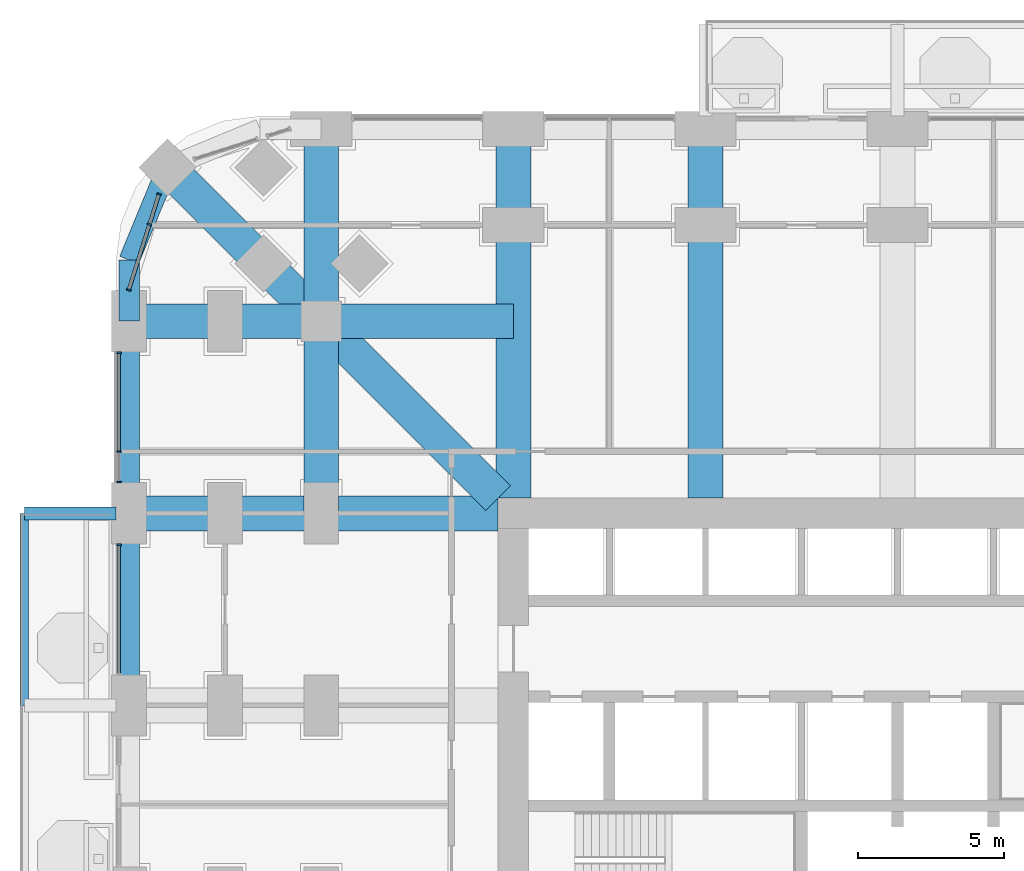
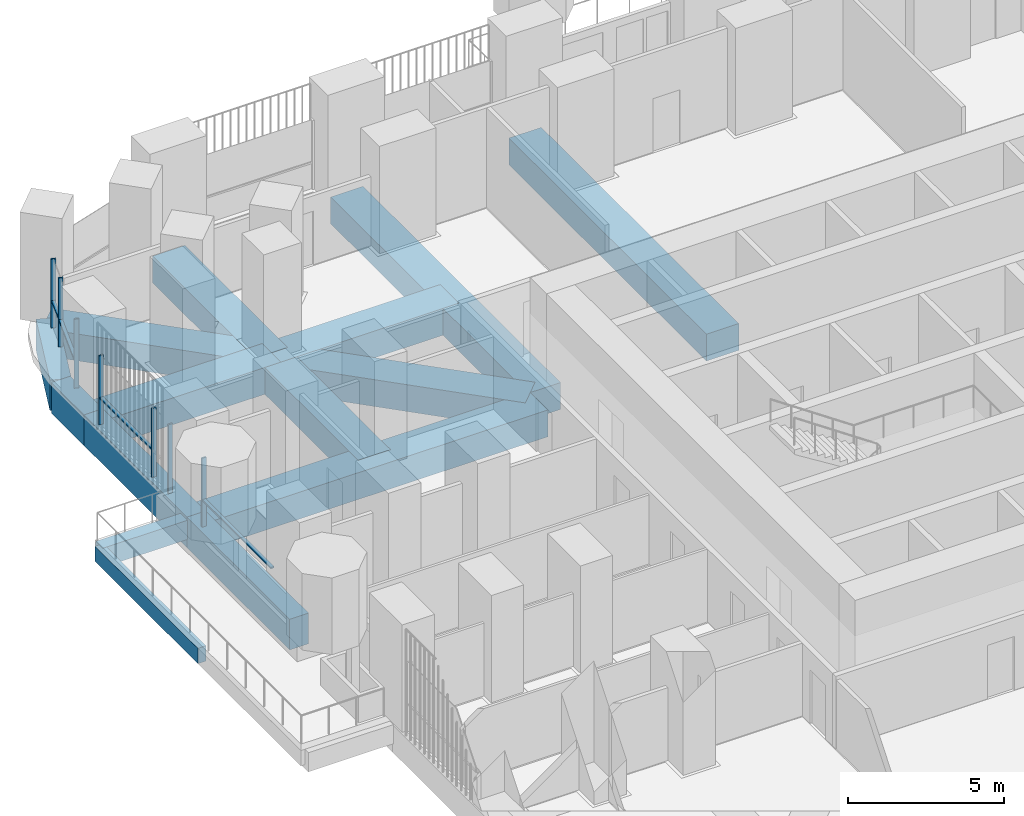
# One storey, part 6 of 26: 15 beams, 11 members, 3 elements without a shape of their own.
"""IFC4 building model written with IfcOpenShell, lengths in metres."""

import ifcopenshell
import ifcopenshell.guid

model = None  # the IFC model being written
_history = None  # IfcOwnerHistory: only IFC2X3 demands one
_inside = {}  # id of a spatial element -> (the spatial element, [elements in it])
_under = {}  # id of a project, library or spatial element -> (it, [spatial elements below it])
_declared = {}  # id of a project -> (the project, [libraries it declares])
_typed = {}  # id of a type object -> (the type object, [elements of that type])
_made_of = {}  # id of a material, layer set ... -> (it, [elements and type objects made of it])


def new_model(schema):
    """Start an empty IFC model of exactly this schema.

    Asked for "IFC4X3", IfcOpenShell would pick the latest addendum, in which some entities
    have other attributes; the version numbers below select the first issue.
    IFC2X3 requires an IfcOwnerHistory on every rooted entity: one is made here for all.
    """
    global model, _history
    if schema == "IFC4X3":
        model = ifcopenshell.file(schema_version=(4, 3, 0, 0))
    else:
        model = ifcopenshell.file(schema=schema)
    _inside.clear()
    _under.clear()
    _declared.clear()
    _typed.clear()
    _made_of.clear()
    _history = None
    if model.schema == "IFC2X3":
        org = make("IfcOrganization", Name="unknown")
        user = make(
            "IfcPersonAndOrganization",
            ThePerson=make("IfcPerson", FamilyName="unknown"),
            TheOrganization=org,
        )
        app = make(
            "IfcApplication",
            ApplicationDeveloper=org,
            Version="unknown",
            ApplicationFullName="unknown",
            ApplicationIdentifier="unknown",
        )
        _history = make(
            "IfcOwnerHistory",
            OwningUser=user,
            OwningApplication=app,
            ChangeAction="ADDED",
            CreationDate=0,
        )
    return model


def make(cls, **values):
    """One entity of the class cls with the attributes given. An attribute that is None is left unset."""
    return model.create_entity(
        cls, **{name: value for name, value in values.items() if value is not None}
    )


def rooted(cls, **values):
    """An entity with a GlobalId (a new one), such as an element, a storey or a relation."""
    return make(cls, GlobalId=ifcopenshell.guid.new(), OwnerHistory=_history, **values)


def si_unit(unit_type, name, prefix=None):
    """IfcSIUnit, for example si_unit("LENGTHUNIT", "METRE", prefix="MILLI")."""
    return make("IfcSIUnit", UnitType=unit_type, Prefix=prefix, Name=name)


def assignment(units):
    """IfcUnitAssignment: the units of a project."""
    return None if units is None else make("IfcUnitAssignment", Units=units)


def point(xyz):
    """IfcCartesianPoint."""
    return None if xyz is None else make("IfcCartesianPoint", Coordinates=xyz)


def direction(xyz):
    """IfcDirection."""
    return None if xyz is None else make("IfcDirection", DirectionRatios=xyz)


def frame(location, z_axis=None, x_axis=None):
    """IfcAxis2Placement3D, a coordinate frame: its origin and axes. An axis left out is left unset."""
    return make(
        "IfcAxis2Placement3D",
        Location=point(location),
        Axis=direction(z_axis),
        RefDirection=direction(x_axis),
    )


def frame_2d(location, x_axis=None):
    """IfcAxis2Placement2D, a coordinate frame in the plane: its origin and x axis."""
    return make(
        "IfcAxis2Placement2D", Location=point(location), RefDirection=direction(x_axis)
    )


def origin():
    """The frame at (0, 0, 0) with its axes left unset."""
    return frame((0.0, 0.0, 0.0))


def origin_2d():
    """The frame at (0, 0) in the plane with its x axis left unset."""
    return frame_2d((0.0, 0.0))


def place(relative_to, where):
    """IfcLocalPlacement: puts the frame where relative to a parent placement (None: the world)."""
    return make(
        "IfcLocalPlacement", PlacementRelTo=relative_to, RelativePlacement=where
    )


def context(
    kind, dimensions, precision=None, world=None, true_north=None, identifier=None
):
    """IfcGeometricRepresentationContext, for example the 3D "Model" context."""
    return make(
        "IfcGeometricRepresentationContext",
        ContextIdentifier=identifier,
        ContextType=kind,
        CoordinateSpaceDimension=dimensions,
        Precision=precision,
        WorldCoordinateSystem=world,
        TrueNorth=true_north,
    )


def subcontext(parent, identifier, kind, view, scale=None):
    """IfcGeometricRepresentationSubContext, for example "Body" below "Model"."""
    return make(
        "IfcGeometricRepresentationSubContext",
        ContextIdentifier=identifier,
        ContextType=kind,
        ParentContext=parent,
        TargetScale=scale,
        TargetView=view,
    )


def project(units=None, contexts=None):
    """IfcProject with its units and contexts."""
    return rooted(
        "IfcProject",
        Name="project",
        RepresentationContexts=contexts,
        UnitsInContext=assignment(units),
    )


def spatial(cls, under=None, at=None, **own):
    """A site, building, storey or space (cls), placed at a placement, below another one or the project."""
    s = rooted(cls, ObjectPlacement=at, **own)
    if under is not None:
        _under.setdefault(under.id(), (under, []))[1].append(s)
    return s


def profile(cls, at=None, kind="AREA", **sizes):
    """A parametric profile (cls). Its sizes go by their IFC names, for example OverallWidth=200.0."""
    return make(cls, ProfileType=kind, Position=at, **sizes)


def rectangle(**sizes):
    """IfcRectangleProfileDef."""
    return profile("IfcRectangleProfileDef", **sizes)


def extrude(swept, where, along, depth):
    """IfcExtrudedAreaSolid: the profile swept, set in the frame where, extruded along a direction by depth."""
    return make(
        "IfcExtrudedAreaSolid",
        SweptArea=swept,
        Position=where,
        ExtrudedDirection=direction(along),
        Depth=depth,
    )


def shape(context_of_items, identifier, shape_type, items):
    """IfcShapeRepresentation: the items that make up one representation, for example the "Body"."""
    return make(
        "IfcShapeRepresentation",
        ContextOfItems=context_of_items,
        RepresentationIdentifier=identifier,
        RepresentationType=shape_type,
        Items=items,
    )


def material(Name=None, Category=None):
    """IfcMaterial."""
    return make("IfcMaterial", Name=Name, Category=Category)


def material_profile(
    of_material, cross_section, Name=None, Category=None, Priority=None
):
    """IfcMaterialProfile: a cross section and its material."""
    return make(
        "IfcMaterialProfile",
        Name=Name,
        Material=of_material,
        Profile=cross_section,
        Priority=Priority,
        Category=Category,
    )


def profile_set(profiles, Name=None, composite=None):
    """IfcMaterialProfileSet."""
    return make(
        "IfcMaterialProfileSet",
        Name=Name,
        MaterialProfiles=profiles,
        CompositeProfile=composite,
    )


def made_of(thing, what):
    """Note that an element or type object is made of a material, layer set ...; save() writes the relation."""
    if what is not None:
        _made_of.setdefault(what.id(), (what, []))[1].append(thing)
    return thing


def type_object(cls, material=None, **own):
    """A type object (cls), such as IfcWallType, which elements share."""
    return made_of(rooted(cls, **own), material)


def element(
    cls,
    number,
    at=None,
    inside=None,
    cuts=None,
    type_object=None,
    material=None,
    context=None,
    identifier="Body",
    shape_type=None,
    held_by="IfcProductDefinitionShape",
    body=None,
    shapes=None,
    **own,
):
    """One element of the class cls, such as IfcWall. Its Tag is "e" and its number.

    at: its placement. inside: the storey or other place that contains it. cuts: it is an
    opening in that element (IfcRelVoidsElement). A single representation is given by context,
    identifier, shape_type and body (its items); several are given by shapes. held_by: the class
    of the entity that holds the representations. save() writes the other relations.
    """
    e = rooted(cls, Tag="e%d" % number, ObjectPlacement=at, **own)
    if body is not None:
        shapes = [shape(context, identifier, shape_type, body)]
    if shapes is not None:
        e.Representation = make(held_by, Representations=shapes)
    if inside is not None:
        _inside.setdefault(inside.id(), (inside, []))[1].append(e)
    if cuts is not None:
        rooted(
            "IfcRelVoidsElement", RelatingBuildingElement=cuts, RelatedOpeningElement=e
        )
    if type_object is not None:
        _typed.setdefault(type_object.id(), (type_object, []))[1].append(e)
    return made_of(e, material)


def aggregate(whole, parts):
    """IfcRelAggregates: a whole, such as a stair, and the parts it consists of."""
    return rooted("IfcRelAggregates", RelatingObject=whole, RelatedObjects=parts)


def save(model, path):
    """Write the relations noted so far, then the file.

    IfcRelAggregates (storeys below a building ...), IfcRelContainedInSpatialStructure (elements
    in a storey), IfcRelDefinesByType, IfcRelAssociatesMaterial and IfcRelDeclares: one each for
    every whole, place, type object, material and project.
    """
    for whole, parts in _under.values():
        aggregate(whole, parts)
    for where, things in _inside.values():
        rooted(
            "IfcRelContainedInSpatialStructure",
            RelatedElements=things,
            RelatingStructure=where,
        )
    for kind, things in _typed.values():
        rooted("IfcRelDefinesByType", RelatedObjects=things, RelatingType=kind)
    for what, things in _made_of.values():
        rooted("IfcRelAssociatesMaterial", RelatedObjects=things, RelatingMaterial=what)
    for by, libraries in _declared.values():
        rooted("IfcRelDeclares", RelatingContext=by, RelatedDefinitions=libraries)
    model.write(path)


model = new_model("IFC4")

# Units and contexts
model_context = context("Model", 3, precision=1e-05, world=origin(), true_north=direction((0.0, 1.0)))
body_context = subcontext(model_context, "Body", "Model", "MODEL_VIEW")
ifc_project = project(units=[si_unit("LENGTHUNIT", "METRE"), si_unit("AREAUNIT", "SQUARE_METRE"), si_unit("VOLUMEUNIT", "CUBIC_METRE"), si_unit("PLANEANGLEUNIT", "RADIAN"), si_unit("MASSUNIT", "GRAM", prefix="KILO")], contexts=[model_context])

# Site, building, storey
site_placement = place(None, origin())
site = spatial("IfcSite", under=ifc_project, at=site_placement, CompositionType="ELEMENT")
building_placement = place(site_placement, origin())
building = spatial("IfcBuilding", under=site, at=building_placement, Name="Cobogo Forest Laboratory Tower", CompositionType="ELEMENT")
storey_placement = place(building_placement, frame((0.0, 0.0, 50.699951171875)))
storey = spatial("IfcBuildingStorey", under=building, at=storey_placement, Name="L11", CompositionType="ELEMENT", Elevation=50.699951171875)

# Beams
ifc_material_1 = material(Name="Concrete HA-40 (C40/50)", Category="concrete")
ifc_material_profile_1 = material_profile(ifc_material_1, rectangle(XDim=0.449951171875, YDim=0.75, at=origin_2d()), Name="RC 450x750")
ifc_profile_set_1 = profile_set([ifc_material_profile_1], Name="Concrete HA-40 (C40/50)")
beam_type_1 = type_object("IfcBeamType", Name="Balcony cantilever beam 450x750", PredefinedType="BEAM", material=ifc_profile_set_1)
beam_1_placement = place(storey_placement, frame((-0.449951171875, 33.0, -0.625), z_axis=(-1.0, 0.0, 0.0), x_axis=(0.0, -1.0, 0.0)))
element("IfcBeam", 1, at=beam_1_placement, inside=storey, type_object=beam_type_1, Name="CB1 BAL-W1-C3 L11", PredefinedType="BEAM", context=body_context, shape_type="SweptSolid", body=[
    extrude(rectangle(XDim=0.449951171875, YDim=0.75, at=origin_2d()), origin(), (0.0, 0.0, 1.0), 3.150146484375),
])
ifc_material_profile_2 = material_profile(ifc_material_1, rectangle(XDim=0.300048828125, YDim=0.60009765625, at=origin_2d()), Name="RC 300x600")
ifc_profile_set_2 = profile_set([ifc_material_profile_2], Name="Concrete HA-40 (C40/50)")
beam_type_2 = type_object("IfcBeamType", Name="Balcony edge beam 300x600", PredefinedType="BEAM", material=ifc_profile_set_2)
beam_2_placement = place(storey_placement, frame((-3.60009765625, 26.39990234375, -0.550048828125), z_axis=(0.0, 1.0, 0.0), x_axis=(-1.0, 0.0, 0.0)))
element("IfcBeam", 2, at=beam_2_placement, inside=storey, type_object=beam_type_2, Name="BB1 BAL-W1-T2 L11", PredefinedType="BEAM", context=body_context, shape_type="SweptSolid", body=[
    extrude(rectangle(XDim=0.300048828125, YDim=0.60009765625, at=origin_2d()), origin(), (0.0, 0.0, 1.0), 6.60009765625),
])
ifc_material_profile_3 = material_profile(ifc_material_1, rectangle(XDim=1.199951171875, YDim=1.050048828125, at=origin_2d()), Name="RC 1200x1050")
ifc_profile_set_3 = profile_set([ifc_material_profile_3], Name="Concrete HA-40 (C40/50)")
beam_type_3 = type_object("IfcBeamType", Name="Laboratory floor wide beam 1200x1050", PredefinedType="BEAM", material=ifc_profile_set_3)
for number, where, z_axis, x_axis, name in (
    (3, (13.199951171875, 33.52490234375, -0.824951171875), (0.0, 1.0, 0.0), (-1.0, 0.0, 0.0), "RB1 R-3-N L11"),
    (4, (19.800048828125, 33.52490234375, -0.824951171875), (0.0, 1.0, 0.0), (-1.0, 0.0, 0.0), "RB1 R-4-N L11"),
    (5, (12.675048828125, 33.0, -0.824951171875), (-1.0, 0.0, 0.0), (0.0, -1.0, 0.0), "RB1 R-F-W L11"),
):
    element("IfcBeam", number, at=place(storey_placement, frame(where, z_axis=z_axis, x_axis=x_axis)), inside=storey, type_object=beam_type_3, Name=name, PredefinedType="BEAM", context=body_context, shape_type="SweptSolid", body=[
        extrude(rectangle(XDim=1.199951171875, YDim=1.050048828125, at=origin_2d()), origin(), (0.0, 0.0, 1.0), 12.675048828125),
    ])
beam_3_placement = place(storey_placement, frame((6.60009765625, 46.199951171875, -0.824951171875), z_axis=(0.0, -1.0, 0.0), x_axis=(1.0, 0.0, 0.0)))
element("IfcBeam", 6, at=beam_3_placement, inside=storey, type_object=beam_type_3, Name="RB1 G-NW-XF L11", PredefinedType="BEAM", context=body_context, shape_type="SweptSolid", body=[
    extrude(rectangle(XDim=1.199951171875, YDim=1.050048828125, at=origin_2d()), origin(), (0.0, 0.0, 1.0), 6.599853515625),
])
for number, where, z_axis, x_axis, name in (
    (7, (6.60009765625, 39.60009765625, -0.824951171875), (0.0, -1.0, 0.0), (1.0, 0.0, 0.0), "RB1 G-NW-XC L11"),
    (8, (0.0, 39.60009765625, -0.824951171875), (1.0, 0.0, 0.0), (0.0, 1.0, 0.0), "RB1 G-NW-YF L11"),
):
    element("IfcBeam", number, at=place(storey_placement, frame(where, z_axis=z_axis, x_axis=x_axis)), inside=storey, type_object=beam_type_3, Name=name, PredefinedType="BEAM", context=body_context, shape_type="SweptSolid", body=[
        extrude(rectangle(XDim=1.199951171875, YDim=1.050048828125, at=origin_2d()), origin(), (0.0, 0.0, 1.0), 6.60009765625),
    ])
beam_4_placement = place(storey_placement, frame((6.60009765625, 39.60009765625, -0.824951171875), z_axis=(1.0, 0.0, 0.0), x_axis=(0.0, 1.0, 0.0)))
element("IfcBeam", 9, at=beam_4_placement, inside=storey, type_object=beam_type_3, Name="RB1 G-NW-YC L11", PredefinedType="BEAM", context=body_context, shape_type="SweptSolid", body=[
    extrude(rectangle(XDim=1.199951171875, YDim=1.050048828125, at=origin_2d()), origin(), (0.0, 0.0, 1.0), 6.599853515625),
])
beam_5_placement = place(storey_placement, frame((1.318115234375, 44.882080078125, -0.824951171875), z_axis=(0.707106781187, -0.707106781187, 0.0), x_axis=(0.707106781187, 0.707106781187, 0.0)))
element("IfcBeam", 10, at=beam_5_placement, inside=storey, type_object=beam_type_3, Name="RB1 G-NW-D1 L11", PredefinedType="BEAM", context=body_context, shape_type="SweptSolid", body=[
    extrude(rectangle(XDim=1.199951171875, YDim=1.050048828125, at=origin_2d()), origin(), (0.0, 0.0, 1.0), 7.469970703125),
])
beam_6_placement = place(storey_placement, frame((6.60009765625, 39.60009765625, -0.824951171875), z_axis=(0.707092572697, -0.70712098939, 0.0), x_axis=(0.70712098939, 0.707092572697, 0.0)))
element("IfcBeam", 11, at=beam_6_placement, inside=storey, type_object=beam_type_3, Name="RB1 G-NW-D2 L11", PredefinedType="BEAM", context=body_context, shape_type="SweptSolid", body=[
    extrude(rectangle(XDim=1.199951171875, YDim=1.050048828125, at=origin_2d()), origin(), (0.0, 0.0, 1.0), 8.591552734375),
])

# Curtain wall, members
ifc_material_2 = material(Name="Aluminium curtain wall", Category="aluminium")
curtain_wall_type = type_object("IfcCurtainWallType", Name="CW-1 unitised curtain wall, clear glazing, laboratory floors zones A and B", PredefinedType="USERDEFINED", material=ifc_material_2)
curtain_wall_1_placement = place(storey_placement, origin())
curtain_wall_1 = element("IfcCurtainWall", 12, at=curtain_wall_1_placement, inside=storey, type_object=curtain_wall_type, Name="Curtain wall 26 L11", ObjectType="UNITISED CURTAIN WALL", PredefinedType="USERDEFINED")
ifc_material_3 = material(Name="Aluminium mullion", Category="aluminium")
ifc_material_profile_4 = material_profile(ifc_material_3, rectangle(XDim=0.06005859375, YDim=0.159912109375, at=origin_2d()), Name="AL 60x160")
ifc_profile_set_4 = profile_set([ifc_material_profile_4], Name="Aluminium mullion")
member_type_1 = type_object("IfcMemberType", Name="MU-1 aluminium mullion 60x160", PredefinedType="MULLION", material=ifc_profile_set_4)
member_1_placement = place(storey_placement, frame((1.02734375, 43.961181640625, 0.0), z_axis=(0.0, 0.0, 1.0), x_axis=(-0.30113535792, -0.95358140513, 0.0)))
member_1 = element("IfcMember", 13, at=member_1_placement, type_object=member_type_1, Name="CW-1 mullion 1", PredefinedType="MULLION", context=body_context, shape_type="SweptSolid", body=[
    extrude(rectangle(XDim=0.06005859375, YDim=0.159912109375, at=origin_2d()), origin(), (0.0, 0.0, 1.0), 2.699951171875),
])
member_2_placement = place(storey_placement, frame((0.69970703125, 42.924072265625, 0.0), z_axis=(0.0, 0.0, 1.0), x_axis=(-0.30113535792, -0.95358140513, 0.0)))
member_2 = element("IfcMember", 14, at=member_2_placement, type_object=member_type_1, Name="CW-1 mullion 2", PredefinedType="MULLION", context=body_context, shape_type="SweptSolid", body=[
    extrude(rectangle(XDim=0.06005859375, YDim=0.159912109375, at=origin_2d()), origin(), (0.0, 0.0, 1.0), 2.699951171875),
])
member_3_placement = place(storey_placement, frame((-0.00927734375, 40.6787109375, 0.0), z_axis=(0.0, 0.0, 1.0), x_axis=(-0.30113535792, -0.95358140513, 0.0)))
member_3 = element("IfcMember", 15, at=member_3_placement, type_object=member_type_1, Name="CW-1 mullion 3", PredefinedType="MULLION", context=body_context, shape_type="SweptSolid", body=[
    extrude(rectangle(XDim=0.06005859375, YDim=0.159912109375, at=origin_2d()), origin(), (0.0, 0.0, 1.0), 2.699951171875),
])

curtain_wall_2_placement = place(storey_placement, origin())
curtain_wall_2 = element("IfcCurtainWall", 16, at=curtain_wall_2_placement, inside=storey, type_object=curtain_wall_type, Name="Curtain wall 27 L11", ObjectType="UNITISED CURTAIN WALL", PredefinedType="USERDEFINED")
member_4_placement = place(storey_placement, frame((-0.35009765625, 38.52001953125, 0.0), z_axis=(0.0, 0.0, 1.0), x_axis=(0.0, -1.0, 0.0)))
member_4 = element("IfcMember", 17, at=member_4_placement, type_object=member_type_1, Name="CW-1 mullion 1", PredefinedType="MULLION", context=body_context, shape_type="SweptSolid", body=[
    extrude(rectangle(XDim=0.06005859375, YDim=0.159912109375, at=origin_2d()), origin(), (0.0, 0.0, 1.0), 2.699951171875),
])
member_5_placement = place(storey_placement, frame((-0.35009765625, 35.125, 0.0), z_axis=(0.0, 0.0, 1.0), x_axis=(0.0, -1.0, 0.0)))
member_5 = element("IfcMember", 18, at=member_5_placement, type_object=member_type_1, Name="CW-1 mullion 2", PredefinedType="MULLION", context=body_context, shape_type="SweptSolid", body=[
    extrude(rectangle(XDim=0.06005859375, YDim=0.159912109375, at=origin_2d()), origin(), (0.0, 0.0, 1.0), 2.699951171875),
])
member_6_placement = place(storey_placement, frame((-0.35009765625, 34.080078125, 0.0), z_axis=(0.0, 0.0, 1.0), x_axis=(0.0, -1.0, 0.0)))
member_6 = element("IfcMember", 19, at=member_6_placement, type_object=member_type_1, Name="CW-1 mullion 3", PredefinedType="MULLION", context=body_context, shape_type="SweptSolid", body=[
    extrude(rectangle(XDim=0.06005859375, YDim=0.159912109375, at=origin_2d()), origin(), (0.0, 0.0, 1.0), 2.699951171875),
])

# Curtain wall, member
curtain_wall_3_placement = place(storey_placement, origin())
curtain_wall_3 = element("IfcCurtainWall", 20, at=curtain_wall_3_placement, inside=storey, type_object=curtain_wall_type, Name="Curtain wall 28 L11", ObjectType="UNITISED CURTAIN WALL", PredefinedType="USERDEFINED")
member_7_placement = place(storey_placement, frame((-0.35009765625, 31.919921875, 0.0), z_axis=(0.0, 0.0, 1.0), x_axis=(0.0, -1.0, 0.0)))
member_7 = element("IfcMember", 21, at=member_7_placement, type_object=member_type_1, Name="CW-1 mullion 1", PredefinedType="MULLION", context=body_context, shape_type="SweptSolid", body=[
    extrude(rectangle(XDim=0.06005859375, YDim=0.159912109375, at=origin_2d()), origin(), (0.0, 0.0, 1.0), 2.699951171875),
])

# Beams
ifc_material_profile_5 = material_profile(ifc_material_1, rectangle(XDim=0.699951171875, YDim=1.199951171875, at=origin_2d()), Name="RC 700x1200")
ifc_profile_set_5 = profile_set([ifc_material_profile_5], Name="Concrete HA-40 (C40/50)")
beam_type_4 = type_object("IfcBeamType", Name="Perimeter edge beam 700x1200", PredefinedType="BEAM", material=ifc_profile_set_5)
for number, where, z_axis, x_axis, name in (
    (22, (0.0, 26.39990234375, -0.89990234375), (0.0, 1.0, 0.0), (-1.0, 0.0, 0.0), "EB1 E-W4 L11"),
    (23, (0.0, 33.0, -0.89990234375), (0.0, 1.0, 0.0), (-1.0, 0.0, 0.0), "EB1 E-W5 L11"),
):
    element("IfcBeam", number, at=place(storey_placement, frame(where, z_axis=z_axis, x_axis=x_axis)), inside=storey, type_object=beam_type_4, Name=name, PredefinedType="BEAM", context=body_context, shape_type="SweptSolid", body=[
        extrude(rectangle(XDim=0.699951171875, YDim=1.199951171875, at=origin_2d()), origin(), (0.0, 0.0, 1.0), 6.60009765625),
    ])
beam_7_placement = place(storey_placement, frame((0.0, 39.60009765625, -0.89990234375), z_axis=(0.0, 1.0, 0.0), x_axis=(-1.0, 0.0, 0.0)))
element("IfcBeam", 24, at=beam_7_placement, inside=storey, type_object=beam_type_4, Name="EB1 E-NWW1 L11", PredefinedType="BEAM", context=body_context, shape_type="SweptSolid", body=[
    extrude(rectangle(XDim=0.699951171875, YDim=1.199951171875, at=origin_2d()), origin(), (0.0, 0.0, 1.0), 2.099853515625),
])
beam_8_placement = place(storey_placement, frame((0.0, 41.699951171875, -0.89990234375), z_axis=(0.382691928466, 0.923876013265, 0.0), x_axis=(-0.923876013265, 0.382691928466, 0.0)))
element("IfcBeam", 25, at=beam_8_placement, inside=storey, type_object=beam_type_4, Name="EB1 E-NWW2 L11", PredefinedType="BEAM", context=body_context, shape_type="SweptSolid", body=[
    extrude(rectangle(XDim=0.699951171875, YDim=1.199951171875, at=origin_2d()), origin(), (0.0, 0.0, 1.0), 3.4443359375),
])

# Member
ifc_material_4 = material(Name="Aluminium transom", Category="aluminium")
ifc_material_profile_6 = material_profile(ifc_material_4, rectangle(XDim=0.1201171875, YDim=0.06005859375, at=origin_2d()), Name="AL 60x120")
ifc_profile_set_6 = profile_set([ifc_material_profile_6], Name="Aluminium transom")
member_type_2 = type_object("IfcMemberType", Name="TR-1 aluminium transom 60x120", PredefinedType="USERDEFINED", material=ifc_profile_set_6)
member_8_placement = place(storey_placement, frame((1.018310546875, 43.9326171875, 1.050048828125), z_axis=(-0.301222320394, -0.953553938535, 0.0), x_axis=(0.953553938535, -0.301222320394, 0.0)))
member_8 = element("IfcMember", 26, at=member_8_placement, type_object=member_type_2, Name="CW-1 transom 1.1", ObjectType="TRANSOM", PredefinedType="USERDEFINED", context=body_context, shape_type="SweptSolid", body=[
    extrude(rectangle(XDim=0.1201171875, YDim=0.06005859375, at=origin_2d()), origin(), (0.0, 0.0, 1.0), 1.02783203125),
])

member_9_placement = place(storey_placement, frame((0.690673828125, 42.8955078125, 1.050048828125), z_axis=(-0.301090633022, -0.953595527835, 0.0), x_axis=(0.953595527835, -0.301090633022, 0.0)))
member_9 = element("IfcMember", 27, at=member_9_placement, type_object=member_type_2, Name="CW-1 transom 2.1", ObjectType="TRANSOM", PredefinedType="USERDEFINED", context=body_context, shape_type="SweptSolid", body=[
    extrude(rectangle(XDim=0.1201171875, YDim=0.06005859375, at=origin_2d()), origin(), (0.0, 0.0, 1.0), 2.294677734375),
])

aggregate(curtain_wall_1, [member_1, member_2, member_3, member_8, member_9])

member_10_placement = place(storey_placement, frame((-0.35009765625, 38.489990234375, 1.050048828125), z_axis=(0.0, -1.0, 0.0), x_axis=(1.0, 0.0, 0.0)))
member_10 = element("IfcMember", 28, at=member_10_placement, type_object=member_type_2, Name="CW-1 transom 1.1", ObjectType="TRANSOM", PredefinedType="USERDEFINED", context=body_context, shape_type="SweptSolid", body=[
    extrude(rectangle(XDim=0.1201171875, YDim=0.06005859375, at=origin_2d()), origin(), (0.0, 0.0, 1.0), 3.3349609375),
])

aggregate(curtain_wall_2, [member_4, member_5, member_6, member_10])

member_11_placement = place(storey_placement, frame((-0.35009765625, 31.889892578125, 1.050048828125), z_axis=(0.0, -1.0, 0.0), x_axis=(1.0, 0.0, 0.0)))
member_11 = element("IfcMember", 29, at=member_11_placement, type_object=member_type_2, Name="CW-1 transom 1.1", ObjectType="TRANSOM", PredefinedType="USERDEFINED", context=body_context, shape_type="SweptSolid", body=[
    extrude(rectangle(XDim=0.1201171875, YDim=0.06005859375, at=origin_2d()), origin(), (0.0, 0.0, 1.0), 4.3798828125),
])

aggregate(curtain_wall_3, [member_7, member_11])

save(model, "model.ifc")
